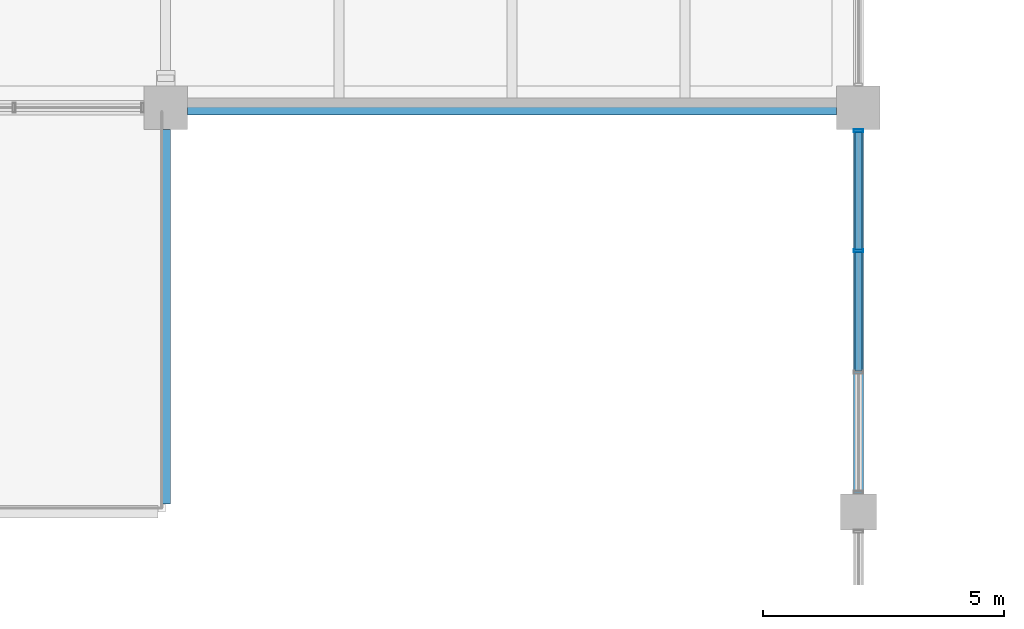
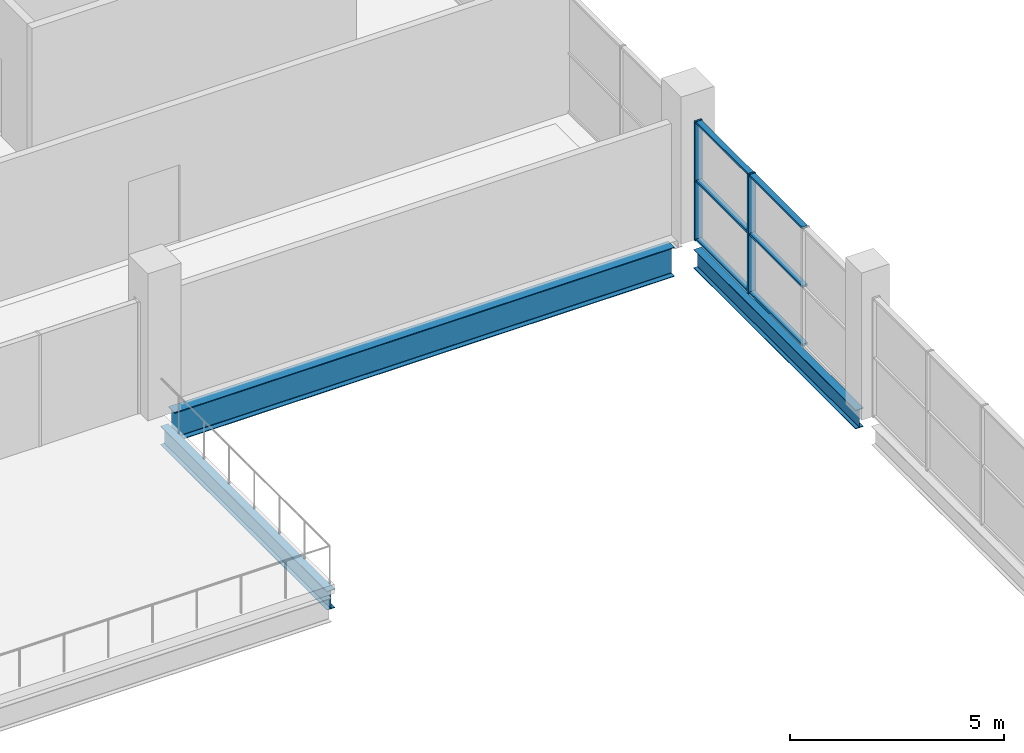
# One storey, part 48 of 93: 8 members, 3 beams, 1 element without a shape of its own.
"""IFC4 building model written with IfcOpenShell, lengths in metres."""

from ifc_helpers import new_model, si_unit, direction, frame, origin, origin_2d, place, context, subcontext, project, spatial, hollow_rectangle, i_section, extrude, material, material_profile, profile_set, type_object, element, aggregate, save


model = new_model("IFC4")

# Units and contexts
model_context = context("Model", 3, precision=1e-05, world=origin(), true_north=direction((0.0, 1.0)))
body_context = subcontext(model_context, "Body", "Model", "MODEL_VIEW")
ifc_project = project(units=[si_unit("LENGTHUNIT", "METRE"), si_unit("AREAUNIT", "SQUARE_METRE"), si_unit("VOLUMEUNIT", "CUBIC_METRE"), si_unit("PLANEANGLEUNIT", "RADIAN"), si_unit("MASSUNIT", "GRAM", prefix="KILO"), si_unit("THERMODYNAMICTEMPERATUREUNIT", "KELVIN")], contexts=[model_context])

# Site, building, storey
site_placement = place(None, origin())
site = spatial("IfcSite", under=ifc_project, at=site_placement, CompositionType="ELEMENT")
building_placement = place(site_placement, origin())
building = spatial("IfcBuilding", under=site, at=building_placement, Name="Nduvali Passage Aquatics Centre", CompositionType="ELEMENT")
storey_placement = place(building_placement, frame((0.0, 0.0, 9.0)))
storey = spatial("IfcBuildingStorey", under=building, at=storey_placement, Name="L02", CompositionType="ELEMENT", Elevation=9.0)

# Curtain wall, members
ifc_material_1 = material(Name="Aluminium EN AW-6063 T6", Category="aluminium")
curtain_wall_type = type_object("IfcCurtainWallType", Name="ENV-CW-CLER", PredefinedType="NOTDEFINED", material=ifc_material_1)
curtain_wall_placement = place(storey_placement, origin())
curtain_wall = element("IfcCurtainWall", 1, at=curtain_wall_placement, inside=storey, type_object=curtain_wall_type, Name="L02 East Passage Pool Hall Mid Clerestory 042", PredefinedType="NOTDEFINED")
ifc_material_profile_1 = material_profile(ifc_material_1, hollow_rectangle(XDim=0.06005859375, YDim=0.199951171875, WallThickness=0.00390625, at=origin_2d()), Name="ALU MULLION 60x200x4")
ifc_profile_set_1 = profile_set([ifc_material_profile_1], Name="Aluminium EN AW-6063 T6")
member_type_1 = type_object("IfcMemberType", Name="ENV-MEM-MUL80", PredefinedType="MULLION", material=ifc_profile_set_1)
member_1_placement = place(storey_placement, frame((126.0, 89.425048828125, 0.0), z_axis=(0.0, 0.0, 1.0), x_axis=(0.0, 1.0, 0.0)))
member_1 = element("IfcMember", 2, at=member_1_placement, type_object=member_type_1, Name="East Passage Pool Hall Mid Clerestory Mullion 3", PredefinedType="MULLION", context=body_context, shape_type="SweptSolid", body=[
    extrude(hollow_rectangle(XDim=0.06005859375, YDim=0.199951171875, WallThickness=0.00390625, at=origin_2d()), origin(), (0.0, 0.0, 1.0), 3.406494140625),
])
member_2_placement = place(storey_placement, frame((126.0, 91.919921875, 0.0), z_axis=(0.0, 0.0, 1.0), x_axis=(0.0, 1.0, 0.0)))
member_2 = element("IfcMember", 3, at=member_2_placement, type_object=member_type_1, Name="East Passage Pool Hall Mid Clerestory Mullion 4", PredefinedType="MULLION", context=body_context, shape_type="SweptSolid", body=[
    extrude(hollow_rectangle(XDim=0.06005859375, YDim=0.199951171875, WallThickness=0.00390625, at=origin_2d()), origin(), (0.0, 0.0, 1.0), 3.406494140625),
])
ifc_material_profile_2 = material_profile(ifc_material_1, hollow_rectangle(XDim=0.14990234375, YDim=0.06005859375, WallThickness=0.00390625, at=origin_2d()), Name="ALU TRANSOM 150x60x4")
ifc_profile_set_2 = profile_set([ifc_material_profile_2], Name="Aluminium EN AW-6063 T6")
member_type_2 = type_object("IfcMemberType", Name="ENV-MEM-TRN80", PredefinedType="USERDEFINED", material=ifc_profile_set_2)
member_3_placement = place(storey_placement, frame((126.0, 86.929931640625, 0.030029296875), z_axis=(0.0, 1.0, 0.0), x_axis=(-1.0, 0.0, 0.0)))
member_3 = element("IfcMember", 4, at=member_3_placement, type_object=member_type_2, Name="East Passage Pool Hall Mid Clerestory Transom B2-R0", ObjectType="TRANSOM", PredefinedType="USERDEFINED", context=body_context, shape_type="SweptSolid", body=[
    extrude(hollow_rectangle(XDim=0.14990234375, YDim=0.06005859375, WallThickness=0.00390625, at=origin_2d()), origin(), (0.0, 0.0, 1.0), 2.465087890625),
])
member_4_placement = place(storey_placement, frame((126.0, 86.929931640625, 1.703125), z_axis=(0.0, 1.0, 0.0), x_axis=(-1.0, 0.0, 0.0)))
member_4 = element("IfcMember", 5, at=member_4_placement, type_object=member_type_2, Name="East Passage Pool Hall Mid Clerestory Transom B2-R1", ObjectType="TRANSOM", PredefinedType="USERDEFINED", context=body_context, shape_type="SweptSolid", body=[
    extrude(hollow_rectangle(XDim=0.14990234375, YDim=0.06005859375, WallThickness=0.00390625, at=origin_2d()), origin(), (0.0, 0.0, 1.0), 2.465087890625),
])
member_5_placement = place(storey_placement, frame((126.0, 86.929931640625, 3.37646484375), z_axis=(0.0, 1.0, 0.0), x_axis=(-1.0, 0.0, 0.0)))
member_5 = element("IfcMember", 6, at=member_5_placement, type_object=member_type_2, Name="East Passage Pool Hall Mid Clerestory Transom B2-R2", ObjectType="TRANSOM", PredefinedType="USERDEFINED", context=body_context, shape_type="SweptSolid", body=[
    extrude(hollow_rectangle(XDim=0.14990234375, YDim=0.06005859375, WallThickness=0.00390625, at=origin_2d()), origin(), (0.0, 0.0, 1.0), 2.465087890625),
])
member_6_placement = place(storey_placement, frame((126.0, 89.455078125, 0.030029296875), z_axis=(0.0, 1.0, 0.0), x_axis=(-1.0, 0.0, 0.0)))
member_6 = element("IfcMember", 7, at=member_6_placement, type_object=member_type_2, Name="East Passage Pool Hall Mid Clerestory Transom B3-R0", ObjectType="TRANSOM", PredefinedType="USERDEFINED", context=body_context, shape_type="SweptSolid", body=[
    extrude(hollow_rectangle(XDim=0.14990234375, YDim=0.06005859375, WallThickness=0.00390625, at=origin_2d()), origin(), (0.0, 0.0, 1.0), 2.434814453125),
])
member_7_placement = place(storey_placement, frame((126.0, 89.455078125, 1.703125), z_axis=(0.0, 1.0, 0.0), x_axis=(-1.0, 0.0, 0.0)))
member_7 = element("IfcMember", 8, at=member_7_placement, type_object=member_type_2, Name="East Passage Pool Hall Mid Clerestory Transom B3-R1", ObjectType="TRANSOM", PredefinedType="USERDEFINED", context=body_context, shape_type="SweptSolid", body=[
    extrude(hollow_rectangle(XDim=0.14990234375, YDim=0.06005859375, WallThickness=0.00390625, at=origin_2d()), origin(), (0.0, 0.0, 1.0), 2.434814453125),
])
member_8_placement = place(storey_placement, frame((126.0, 89.455078125, 3.37646484375), z_axis=(0.0, 1.0, 0.0), x_axis=(-1.0, 0.0, 0.0)))
member_8 = element("IfcMember", 9, at=member_8_placement, type_object=member_type_2, Name="East Passage Pool Hall Mid Clerestory Transom B3-R2", ObjectType="TRANSOM", PredefinedType="USERDEFINED", context=body_context, shape_type="SweptSolid", body=[
    extrude(hollow_rectangle(XDim=0.14990234375, YDim=0.06005859375, WallThickness=0.00390625, at=origin_2d()), origin(), (0.0, 0.0, 1.0), 2.434814453125),
])
aggregate(curtain_wall, [member_1, member_2, member_3, member_4, member_5, member_6, member_7, member_8])

# Beams
ifc_material_2 = material(Name="Steel S355", Category="steel")
ifc_material_profile_3 = material_profile(ifc_material_2, i_section(OverallWidth=0.210693359375, OverallDepth=0.53955078125, WebThickness=0.01171875, FlangeThickness=0.018798828125, FilletRadius=0.0126953125, at=origin_2d()), Name="UKB 533x210x109")
ifc_profile_set_3 = profile_set([ifc_material_profile_3], Name="Steel S355")
beam_type_1 = type_object("IfcBeamType", Name="STR-BM-UKB533", PredefinedType="BEAM", material=ifc_profile_set_3)
beam_1_placement = place(storey_placement, frame((111.60009765625, 84.160400390625, -0.53369140625), z_axis=(0.0, 1.0, 0.0), x_axis=(-1.0, 0.0, 0.0)))
element("IfcBeam", 10, at=beam_1_placement, inside=storey, type_object=beam_type_1, Name="L02 Primary Y-Girder B6-1003", PredefinedType="BEAM", context=body_context, shape_type="SweptSolid", body=[
    extrude(i_section(OverallWidth=0.210693359375, OverallDepth=0.53955078125, WebThickness=0.01171875, FlangeThickness=0.018798828125, FilletRadius=0.0126953125, at=origin_2d()), origin(), (0.0, 0.0, 1.0), 7.78955078125),
])
ifc_material_profile_4 = material_profile(ifc_material_2, i_section(OverallWidth=0.210693359375, OverallDepth=0.53955078125, WebThickness=0.01171875, FlangeThickness=0.018798828125, FilletRadius=0.0126953125, at=origin_2d()), Name="UKB 533x210x109")
ifc_profile_set_4 = profile_set([ifc_material_profile_4], Name="Steel S355")
beam_type_2 = type_object("IfcBeamType", Name="STR-BM-UKB533-EXT", PredefinedType="BEAM", material=ifc_profile_set_4)
beam_2_placement = place(storey_placement, frame((126.0, 84.375, -0.53369140625), z_axis=(0.0, 1.0, 0.0), x_axis=(-1.0, 0.0, 0.0)))
element("IfcBeam", 11, at=beam_2_placement, inside=storey, type_object=beam_type_2, Name="L02 Primary Y-Girder B6E-1017", PredefinedType="BEAM", context=body_context, shape_type="SweptSolid", body=[
    extrude(i_section(OverallWidth=0.210693359375, OverallDepth=0.53955078125, WebThickness=0.01171875, FlangeThickness=0.018798828125, FilletRadius=0.0126953125, at=origin_2d()), origin(), (0.0, 0.0, 1.0), 7.574951171875),
])
ifc_material_profile_5 = material_profile(ifc_material_2, i_section(OverallWidth=0.29248046875, OverallDepth=0.8408203125, WebThickness=0.0146484375, FlangeThickness=0.021728515625, FilletRadius=0.017822265625, at=origin_2d()), Name="UKB 838x292x194")
ifc_profile_set_5 = profile_set([ifc_material_profile_5], Name="Steel S355")
beam_type_3 = type_object("IfcBeamType", Name="STR-BM-UKB838-EXT", PredefinedType="BEAM", material=ifc_profile_set_5)
beam_3_placement = place(storey_placement, frame((112.050048828125, 92.39990234375, -0.684326171875), z_axis=(1.0, 0.0, 0.0), x_axis=(0.0, 1.0, 0.0)))
element("IfcBeam", 12, at=beam_3_placement, inside=storey, type_object=beam_type_3, Name="L02 Primary X-Girder B4BE-0928", PredefinedType="BEAM", context=body_context, shape_type="SweptSolid", body=[
    extrude(i_section(OverallWidth=0.29248046875, OverallDepth=0.8408203125, WebThickness=0.0146484375, FlangeThickness=0.021728515625, FilletRadius=0.017822265625, at=origin_2d()), origin(), (0.0, 0.0, 1.0), 13.5),
])

save(model, "model.ifc")
